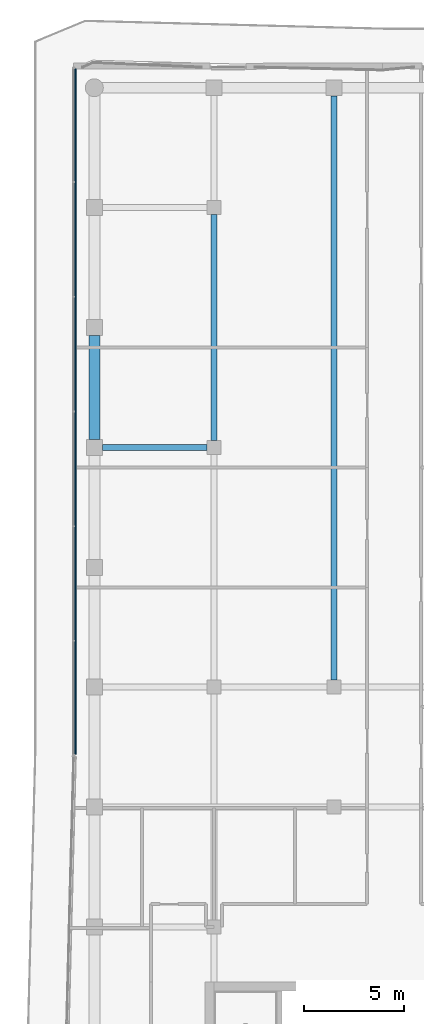
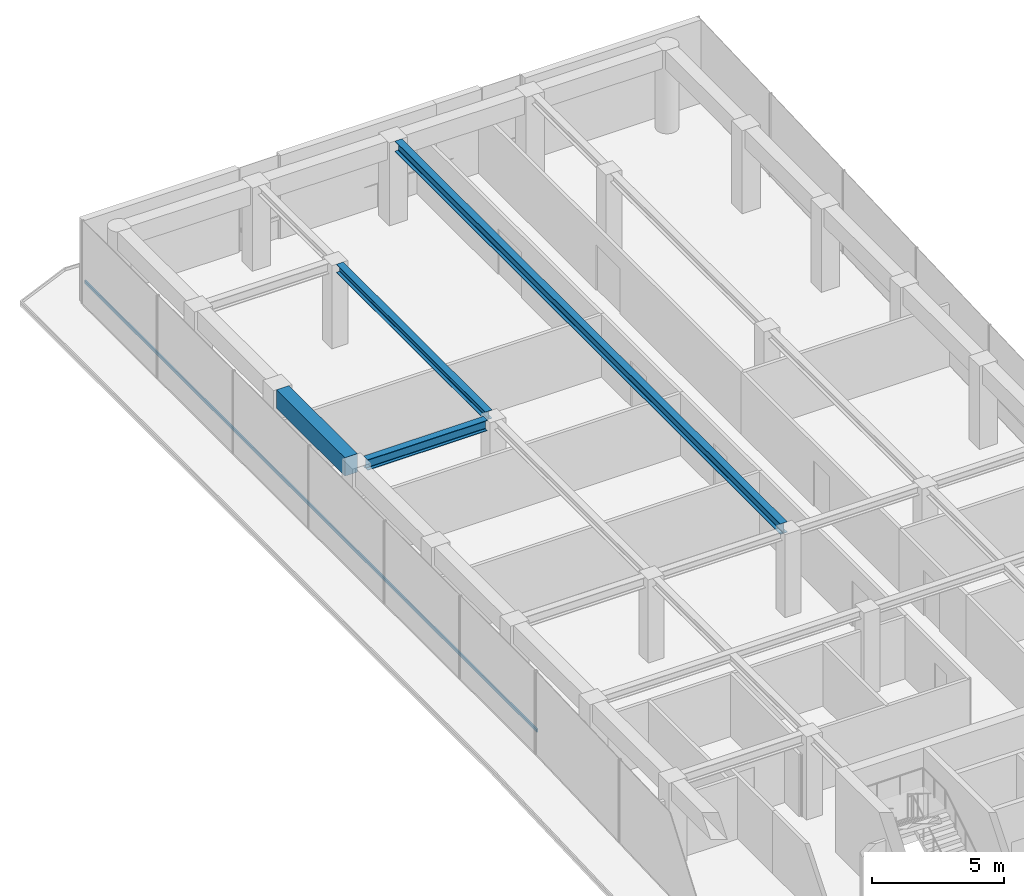
# One storey, part 10 of 19: 4 beams, 1 member, 1 element without a shape of its own.
"""IFC4 building model written with IfcOpenShell, lengths in metres."""

from ifc_helpers import new_model, si_unit, direction, frame, origin, origin_2d, place, context, subcontext, project, spatial, rectangle, i_section, extrude, material, layer, layer_set, material_profile, profile_set, type_object, element, aggregate, save


model = new_model("IFC4")

# Units and contexts
model_context = context("Model", 3, precision=1e-05, world=origin(), true_north=direction((0.0, 1.0)))
body_context = subcontext(model_context, "Body", "Model", "MODEL_VIEW")
ifc_project = project(units=[si_unit("LENGTHUNIT", "METRE"), si_unit("AREAUNIT", "SQUARE_METRE"), si_unit("VOLUMEUNIT", "CUBIC_METRE"), si_unit("PLANEANGLEUNIT", "RADIAN"), si_unit("MASSUNIT", "GRAM", prefix="KILO")], contexts=[model_context])

# Site, building, storey
site_placement = place(None, origin())
site = spatial("IfcSite", under=ifc_project, at=site_placement, CompositionType="ELEMENT")
building_placement = place(site_placement, origin())
building = spatial("IfcBuilding", under=site, at=building_placement, Name="Welwitschia Terrace Campus", CompositionType="ELEMENT")
storey_placement = place(building_placement, frame((0.0, 0.0, 234.800048828125)))
storey = spatial("IfcBuildingStorey", under=building, at=storey_placement, Name="L52", CompositionType="ELEMENT", Elevation=234.800048828125)

# Beams
ifc_material_1 = material(Name="Steel S355", Category="steel")
ifc_material_profile_1 = material_profile(ifc_material_1, i_section(OverallWidth=0.300048828125, OverallDepth=0.389892578125, WebThickness=0.010986328125, FlangeThickness=0.01904296875, FilletRadius=0.027099609375, at=origin_2d()))
ifc_profile_set_1 = profile_set([ifc_material_profile_1], Name="Steel S355")
beam_type_1 = type_object("IfcBeamType", Name="Interior girder HE 400 A", PredefinedType="BEAM", material=ifc_profile_set_1)
beam_1_placement = place(storey_placement, frame((6.0, 52.3505859375, 3.655029296875), z_axis=(0.0, 1.0, 0.0), x_axis=(-1.0, 0.0, 0.0)))
element("IfcBeam", 1, at=beam_1_placement, inside=storey, type_object=beam_type_1, Name="Girder GB5", PredefinedType="BEAM", context=body_context, shape_type="SweptSolid", body=[
    extrude(i_section(OverallWidth=0.300048828125, OverallDepth=0.389892578125, WebThickness=0.010986328125, FlangeThickness=0.01904296875, FilletRadius=0.027099609375, at=origin_2d()), origin(), (0.0, 0.0, 1.0), 11.298828125),
])
ifc_material_2 = material(Name="Steel S355", Category="steel")
ifc_material_profile_2 = material_profile(ifc_material_2, i_section(OverallWidth=0.300048828125, OverallDepth=0.489990234375, WebThickness=0.011962890625, FlangeThickness=0.02294921875, FilletRadius=0.027099609375, at=origin_2d()))
ifc_profile_set_2 = profile_set([ifc_material_profile_2], Name="Steel S355")
beam_type_2 = type_object("IfcBeamType", Name="Primary beam HE 500 A", PredefinedType="BEAM", material=ifc_profile_set_2)
beam_2_placement = place(storey_placement, frame((12.0, 69.599609375, 3.60498046875), z_axis=(0.0, -1.0, 0.0), x_axis=(1.0, 0.0, 0.0)))
element("IfcBeam", 2, at=beam_2_placement, inside=storey, type_object=beam_type_2, Name="Primary beam PB5", PredefinedType="BEAM", context=body_context, shape_type="SweptSolid", body=[
    extrude(i_section(OverallWidth=0.300048828125, OverallDepth=0.489990234375, WebThickness=0.011962890625, FlangeThickness=0.02294921875, FilletRadius=0.027099609375, at=origin_2d()), origin(), (0.0, 0.0, 1.0), 29.2490234375),
])
beam_3_placement = place(storey_placement, frame((0.400390625, 52.0, 3.60498046875), z_axis=(1.0, 0.0, 0.0), x_axis=(0.0, 1.0, 0.0)))
element("IfcBeam", 3, at=beam_3_placement, inside=storey, type_object=beam_type_2, Name="Primary beam PB5", PredefinedType="BEAM", context=body_context, shape_type="SweptSolid", body=[
    extrude(i_section(OverallWidth=0.300048828125, OverallDepth=0.489990234375, WebThickness=0.011962890625, FlangeThickness=0.02294921875, FilletRadius=0.027099609375, at=origin_2d()), origin(), (0.0, 0.0, 1.0), 5.2490234375),
])
ifc_material_3 = material(Name="Concrete C50/60", Category="concrete")
ifc_material_profile_3 = material_profile(ifc_material_3, rectangle(XDim=0.550048828125, YDim=0.85009765625, at=origin_2d()))
ifc_profile_set_3 = profile_set([ifc_material_profile_3], Name="Concrete C50/60")
beam_type_3 = type_object("IfcBeamType", Name="Ring spandrel 550x850", PredefinedType="SPANDREL", material=ifc_profile_set_3)
beam_4_placement = place(storey_placement, frame((0.0, 57.599609375, 3.425048828125), z_axis=(0.0, -1.0, 0.0), x_axis=(1.0, 0.0, 0.0)))
element("IfcBeam", 4, at=beam_4_placement, inside=storey, type_object=beam_type_3, Name="Spandrel SP3", PredefinedType="SPANDREL", context=body_context, shape_type="SweptSolid", body=[
    extrude(rectangle(XDim=0.550048828125, YDim=0.85009765625, at=origin_2d()), origin(), (0.0, 0.0, 1.0), 5.19921875),
])

# Curtain wall, member
ifc_material_4 = material(Name="Bronze anodised aluminium", Category="aluminium")
ifc_layer = layer(ifc_material_4, 0.1201171875)
ifc_layer_set = layer_set([ifc_layer], Name="Bronze anodised aluminium")
curtain_wall_type = type_object("IfcCurtainWallType", Name="Curtain wall CW2 tower 6000", PredefinedType="NOTDEFINED", material=ifc_layer_set)
curtain_wall_placement = place(storey_placement, origin())
curtain_wall = element("IfcCurtainWall", 5, at=curtain_wall_placement, inside=storey, type_object=curtain_wall_type, Name="CW L52.0.0", PredefinedType="NOTDEFINED")
ifc_material_5 = material(Name="Bronze anodised aluminium", Category="aluminium")
ifc_material_profile_4 = material_profile(ifc_material_5, rectangle(XDim=0.06005859375, YDim=0.14990234375, at=origin_2d()))
ifc_profile_set_4 = profile_set([ifc_material_profile_4], Name="Bronze anodised aluminium")
member_type = type_object("IfcMemberType", Name="Transom 60x150", PredefinedType="USERDEFINED", material=ifc_profile_set_4)
member_placement = place(storey_placement, frame((-0.93994140625, 70.9599609375, 1.0), z_axis=(0.0, -1.0, 0.0), x_axis=(1.0, 0.0, 0.0)))
member = element("IfcMember", 6, at=member_placement, type_object=member_type, Name="Transom L52.0.0", ObjectType="TRANSOM", PredefinedType="USERDEFINED", context=body_context, shape_type="SweptSolid", body=[
    extrude(rectangle(XDim=0.06005859375, YDim=0.14990234375, at=origin_2d()), origin(), (0.0, 0.0, 1.0), 34.3154296875),
])
aggregate(curtain_wall, [member])

save(model, "model.ifc")
